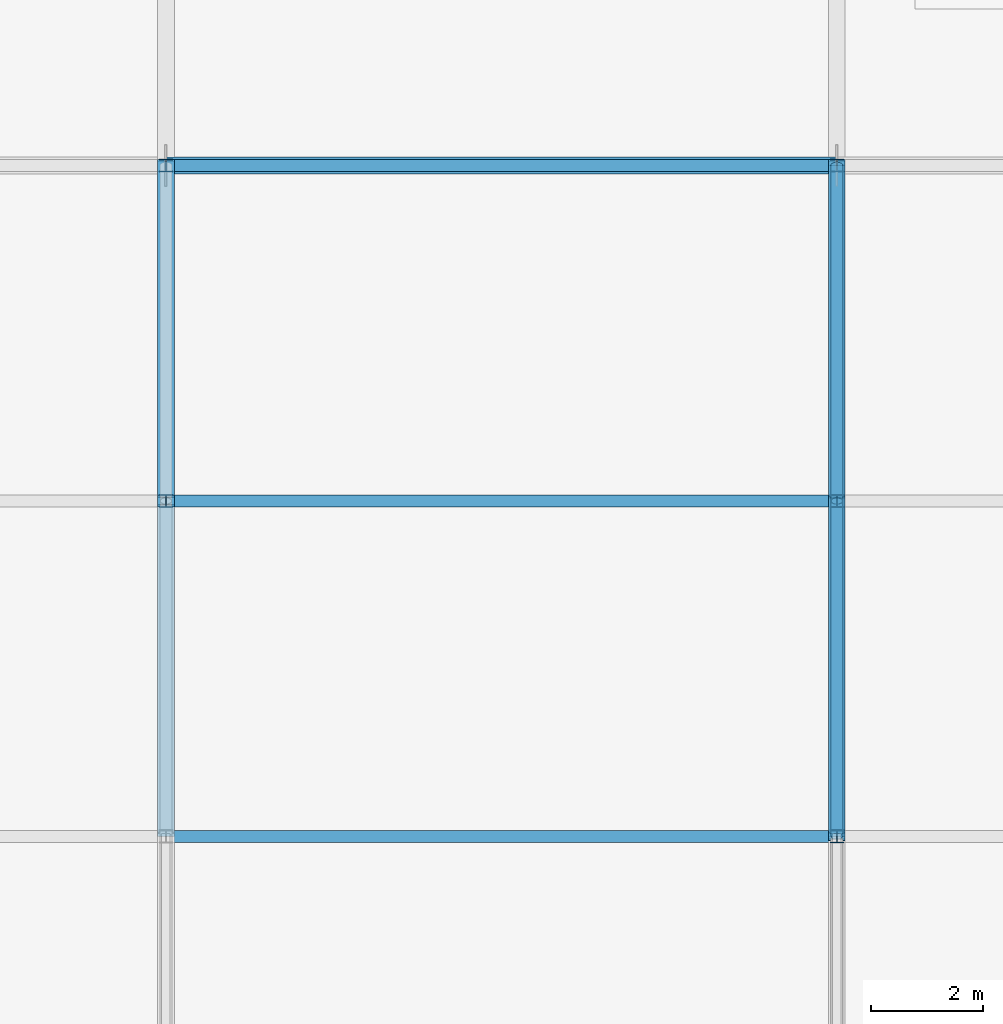
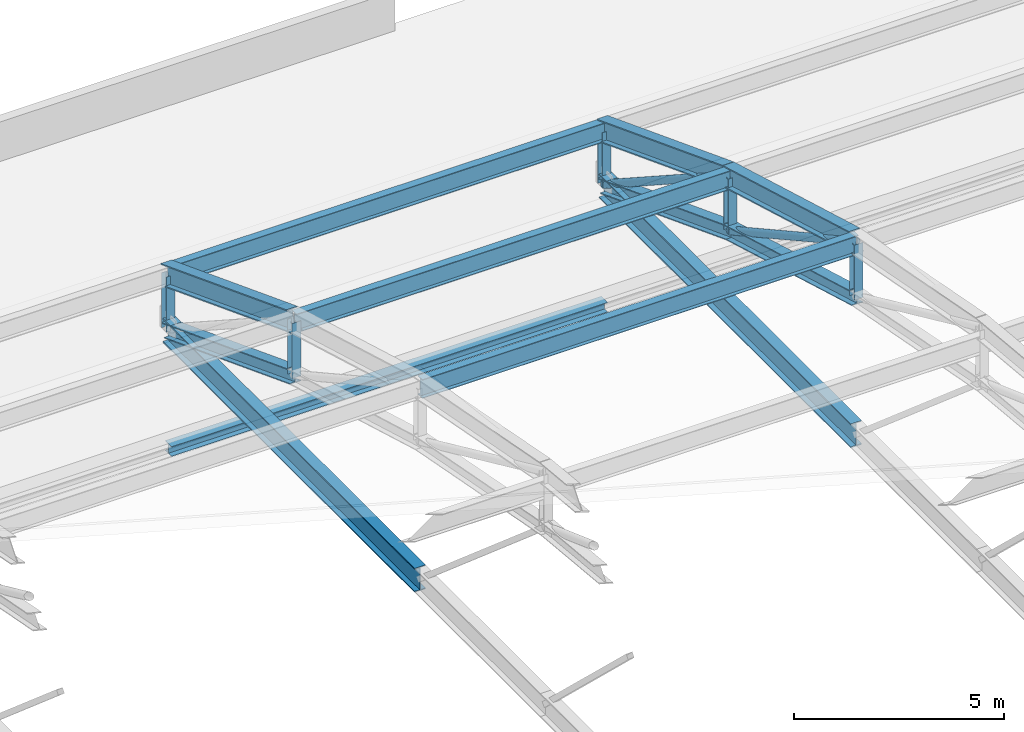
# One storey, part 150 of 204: 18 members, 1 beam.
"""IFC4 building model written with IfcOpenShell, lengths in metres."""

from ifc_helpers import new_model, si_unit, direction, frame, origin, origin_2d, place, context, subcontext, project, spatial, hollow_circle, i_section, extrude, material, material_profile, profile_set, type_object, element, save


model = new_model("IFC4")

# Units and contexts
model_context = context("Model", 3, precision=1e-05, world=origin(), true_north=direction((0.0, 1.0)))
body_context = subcontext(model_context, "Body", "Model", "MODEL_VIEW")
ifc_project = project(units=[si_unit("LENGTHUNIT", "METRE"), si_unit("AREAUNIT", "SQUARE_METRE"), si_unit("VOLUMEUNIT", "CUBIC_METRE"), si_unit("PLANEANGLEUNIT", "RADIAN"), si_unit("MASSUNIT", "GRAM", prefix="KILO")], contexts=[model_context])

# Site, building, storey
site_placement = place(None, origin())
site = spatial("IfcSite", under=ifc_project, at=site_placement, CompositionType="ELEMENT")
building_placement = place(site_placement, origin())
building = spatial("IfcBuilding", under=site, at=building_placement, Name="Zilviju Railside Exhibition Hall", CompositionType="ELEMENT")
storey_placement = place(building_placement, frame((0.0, 0.0, 21.0)))
storey = spatial("IfcBuildingStorey", under=building, at=storey_placement, Name="RF", CompositionType="ELEMENT", Elevation=21.0)

# Beam
ifc_material = material(Name="Steel S355J2", Category="steel")
ifc_material_profile_1 = material_profile(ifc_material, i_section(OverallWidth=0.300048828125, OverallDepth=0.2900390625, WebThickness=0.008544921875, FlangeThickness=0.013916015625, at=origin_2d()), Name="HEA 300")
ifc_profile_set_1 = profile_set([ifc_material_profile_1], Name="Steel S355J2")
beam_type = type_object("IfcBeamType", Name="BM-HEA300", PredefinedType="SPANDREL", material=ifc_profile_set_1)
beam_placement = place(storey_placement, frame((144.0, 138.0, -7.094970703125), z_axis=(1.0, 0.0, 0.0), x_axis=(0.0, 1.0, 0.0)))
element("IfcBeam", 1, at=beam_placement, inside=storey, type_object=beam_type, Name="Logistics Roof Beam Y=138.0 (144.0..156.0)", PredefinedType="SPANDREL", context=body_context, shape_type="SweptSolid", body=[
    extrude(i_section(OverallWidth=0.300048828125, OverallDepth=0.2900390625, WebThickness=0.008544921875, FlangeThickness=0.013916015625, at=origin_2d()), origin(), (0.0, 0.0, 1.0), 12.0),
])

# Members
ifc_material_profile_2 = material_profile(ifc_material, hollow_circle(Radius=0.109619140625, WallThickness=0.010009765625, at=origin_2d()), Name="CHS 219.1x10.0")
ifc_profile_set_2 = profile_set([ifc_material_profile_2], Name="Steel S355J2")
member_type_1 = type_object("IfcMemberType", Name="TR-BR-CHS219", PredefinedType="BRACE", material=ifc_profile_set_2)
member_1_placement = place(storey_placement, frame((156.0, 126.0, 2.009765625), z_axis=(0.0, 0.8750828143, -0.483973210122), x_axis=(-1.0, 0.0, 0.0)))
element("IfcMember", 2, at=member_1_placement, inside=storey, type_object=member_type_1, Name="V2 Parabolic Arch Web Diagonal X=156.0 P8", PredefinedType="BRACE", context=body_context, shape_type="SweptSolid", body=[
    extrude(hollow_circle(Radius=0.109619140625, WallThickness=0.010009765625, at=origin_2d()), origin(), (0.0, 0.0, 1.0), 6.8564453125),
])
member_2_placement = place(storey_placement, frame((156.0, 132.0, 0.291259765625), z_axis=(0.0, 0.838995406637, -0.544138500423), x_axis=(-1.0, 0.0, 0.0)))
element("IfcMember", 3, at=member_2_placement, inside=storey, type_object=member_type_1, Name="V2 Parabolic Arch Web Diagonal X=156.0 P9", PredefinedType="BRACE", context=body_context, shape_type="SweptSolid", body=[
    extrude(hollow_circle(Radius=0.109619140625, WallThickness=0.010009765625, at=origin_2d()), origin(), (0.0, 0.0, 1.0), 7.1513671875),
])
ifc_material_profile_3 = material_profile(ifc_material, i_section(OverallWidth=0.300048828125, OverallDepth=0.39990234375, WebThickness=0.013427734375, FlangeThickness=0.02392578125, at=origin_2d()), Name="HEB 400")
ifc_profile_set_3 = profile_set([ifc_material_profile_3], Name="Steel S355J2")
member_type_2 = type_object("IfcMemberType", Name="TR-CH-HEB400", PredefinedType="CHORD", material=ifc_profile_set_3)
member_3_placement = place(storey_placement, frame((144.0, 132.0, -1.30859375), z_axis=(0.0, 0.934187521086, -0.35678239229), x_axis=(-1.0, 0.0, 0.0)))
element("IfcMember", 4, at=member_3_placement, inside=storey, type_object=member_type_2, Name="V2 Parabolic Arch Bottom Chord X=144.0 P9", PredefinedType="CHORD", context=body_context, shape_type="SweptSolid", body=[
    extrude(i_section(OverallWidth=0.300048828125, OverallDepth=0.39990234375, WebThickness=0.013427734375, FlangeThickness=0.02392578125, at=origin_2d()), origin(), (0.0, 0.0, 1.0), 6.422607421875),
])
member_4_placement = place(storey_placement, frame((156.0, 126.0, 0.409912109375), z_axis=(0.0, 0.961345133658, -0.275346207512), x_axis=(-1.0, 0.0, 0.0)))
element("IfcMember", 5, at=member_4_placement, inside=storey, type_object=member_type_2, Name="V2 Parabolic Arch Bottom Chord X=156.0 P8", PredefinedType="CHORD", context=body_context, shape_type="SweptSolid", body=[
    extrude(i_section(OverallWidth=0.300048828125, OverallDepth=0.39990234375, WebThickness=0.013427734375, FlangeThickness=0.02392578125, at=origin_2d()), origin(), (0.0, 0.0, 1.0), 6.2412109375),
])
member_5_placement = place(storey_placement, frame((156.0, 132.0, -1.30859375), z_axis=(0.0, 0.934187521086, -0.35678239229), x_axis=(-1.0, 0.0, 0.0)))
element("IfcMember", 6, at=member_5_placement, inside=storey, type_object=member_type_2, Name="V2 Parabolic Arch Bottom Chord X=156.0 P9", PredefinedType="CHORD", context=body_context, shape_type="SweptSolid", body=[
    extrude(i_section(OverallWidth=0.300048828125, OverallDepth=0.39990234375, WebThickness=0.013427734375, FlangeThickness=0.02392578125, at=origin_2d()), origin(), (0.0, 0.0, 1.0), 6.422607421875),
])
ifc_material_profile_4 = material_profile(ifc_material, i_section(OverallWidth=0.300048828125, OverallDepth=0.60009765625, WebThickness=0.015380859375, FlangeThickness=0.030029296875, at=origin_2d()), Name="HEB 600")
ifc_profile_set_4 = profile_set([ifc_material_profile_4], Name="Steel S355J2")
member_type_3 = type_object("IfcMemberType", Name="TR-CH-HEB600", PredefinedType="CHORD", material=ifc_profile_set_4)
member_6_placement = place(storey_placement, frame((144.0, 132.0, 0.291259765625), z_axis=(0.0, 0.934200190194, -0.356749218138), x_axis=(-1.0, 0.0, 0.0)))
element("IfcMember", 7, at=member_6_placement, inside=storey, type_object=member_type_3, Name="V2 Parabolic Arch Top Chord X=144.0 P9", PredefinedType="CHORD", context=body_context, shape_type="SweptSolid", body=[
    extrude(i_section(OverallWidth=0.300048828125, OverallDepth=0.60009765625, WebThickness=0.015380859375, FlangeThickness=0.030029296875, at=origin_2d()), origin(), (0.0, 0.0, 1.0), 6.422607421875),
])
member_7_placement = place(storey_placement, frame((156.0, 126.0, 2.009765625), z_axis=(0.0, 0.961345133658, -0.275346207512), x_axis=(-1.0, 0.0, 0.0)))
element("IfcMember", 8, at=member_7_placement, inside=storey, type_object=member_type_3, Name="V2 Parabolic Arch Top Chord X=156.0 P8", PredefinedType="CHORD", context=body_context, shape_type="SweptSolid", body=[
    extrude(i_section(OverallWidth=0.300048828125, OverallDepth=0.60009765625, WebThickness=0.015380859375, FlangeThickness=0.030029296875, at=origin_2d()), origin(), (0.0, 0.0, 1.0), 6.2412109375),
])
member_8_placement = place(storey_placement, frame((156.0, 132.0, 0.291259765625), z_axis=(0.0, 0.934200190194, -0.356749218138), x_axis=(-1.0, 0.0, 0.0)))
element("IfcMember", 9, at=member_8_placement, inside=storey, type_object=member_type_3, Name="V2 Parabolic Arch Top Chord X=156.0 P9", PredefinedType="CHORD", context=body_context, shape_type="SweptSolid", body=[
    extrude(i_section(OverallWidth=0.300048828125, OverallDepth=0.60009765625, WebThickness=0.015380859375, FlangeThickness=0.030029296875, at=origin_2d()), origin(), (0.0, 0.0, 1.0), 6.422607421875),
])
ifc_material_profile_5 = material_profile(ifc_material, i_section(OverallWidth=0.239990234375, OverallDepth=0.22998046875, WebThickness=0.007568359375, FlangeThickness=0.011962890625, at=origin_2d()), Name="HEA 240")
ifc_profile_set_5 = profile_set([ifc_material_profile_5], Name="Steel S355J2")
member_type_4 = type_object("IfcMemberType", Name="TR-POST-HEA240", PredefinedType="POST", material=ifc_profile_set_5)
member_9_placement = place(storey_placement, frame((144.0, 132.0, -1.30859375), z_axis=(0.0, 0.0, 1.0), x_axis=(1.0, 0.0, 0.0)))
element("IfcMember", 10, at=member_9_placement, inside=storey, type_object=member_type_4, Name="V2 Parabolic Arch Web Post X=144.0 N8", PredefinedType="POST", context=body_context, shape_type="SweptSolid", body=[
    extrude(i_section(OverallWidth=0.239990234375, OverallDepth=0.22998046875, WebThickness=0.007568359375, FlangeThickness=0.011962890625, at=origin_2d()), origin(), (0.0, 0.0, 1.0), 1.599853515625),
])
member_10_placement = place(storey_placement, frame((144.0, 138.0, -3.60009765625), z_axis=(0.0, 0.0, 1.0), x_axis=(1.0, 0.0, 0.0)))
element("IfcMember", 11, at=member_10_placement, inside=storey, type_object=member_type_4, Name="V2 Parabolic Arch Web Post X=144.0 N9", PredefinedType="POST", context=body_context, shape_type="SweptSolid", body=[
    extrude(i_section(OverallWidth=0.239990234375, OverallDepth=0.22998046875, WebThickness=0.007568359375, FlangeThickness=0.011962890625, at=origin_2d()), origin(), (0.0, 0.0, 1.0), 1.60009765625),
])
for number, where, z_axis, x_axis, name in (
    (12, (156.0, 126.0, 0.409912109375), (0.0, 0.0, 1.0), (1.0, 0.0, 0.0), "V2 Parabolic Arch Web Post X=156.0 N7"),
    (13, (156.0, 132.0, -1.30859375), (0.0, 0.0, 1.0), (1.0, 0.0, 0.0), "V2 Parabolic Arch Web Post X=156.0 N8"),
):
    element("IfcMember", number, at=place(storey_placement, frame(where, z_axis=z_axis, x_axis=x_axis)), inside=storey, type_object=member_type_4, Name=name, PredefinedType="POST", context=body_context, shape_type="SweptSolid", body=[
        extrude(i_section(OverallWidth=0.239990234375, OverallDepth=0.22998046875, WebThickness=0.007568359375, FlangeThickness=0.011962890625, at=origin_2d()), origin(), (0.0, 0.0, 1.0), 1.599853515625),
    ])
member_11_placement = place(storey_placement, frame((156.0, 138.0, -3.60009765625), z_axis=(0.0, 0.0, 1.0), x_axis=(1.0, 0.0, 0.0)))
element("IfcMember", 14, at=member_11_placement, inside=storey, type_object=member_type_4, Name="V2 Parabolic Arch Web Post X=156.0 N9", PredefinedType="POST", context=body_context, shape_type="SweptSolid", body=[
    extrude(i_section(OverallWidth=0.239990234375, OverallDepth=0.22998046875, WebThickness=0.007568359375, FlangeThickness=0.011962890625, at=origin_2d()), origin(), (0.0, 0.0, 1.0), 1.60009765625),
])
ifc_material_profile_6 = material_profile(ifc_material, i_section(OverallWidth=0.2099609375, OverallDepth=0.550048828125, WebThickness=0.010986328125, FlangeThickness=0.01708984375, at=origin_2d()), Name="IPE 550")
ifc_profile_set_6 = profile_set([ifc_material_profile_6], Name="Steel S355J2")
member_type_5 = type_object("IfcMemberType", Name="TR-PUR-IPE550", PredefinedType="PURLIN", material=ifc_profile_set_6)
for number, where, z_axis, x_axis, name in (
    (15, (144.0, 126.0, 1.97509765625), (1.0, 0.0, 0.0), (0.0, 1.0, 0.0), "V2 Barrel Vault Roof Purlin Y=126.0 (144.0..156.0)"),
    (16, (144.0, 132.0, 0.239501953125), (1.0, 0.0, 0.0), (0.0, 1.0, 0.0), "V2 Barrel Vault Roof Purlin Y=132.0 (144.0..156.0)"),
    (17, (144.0, 138.0, -2.011962890625), (1.0, 0.0, 0.0), (0.0, 1.0, 0.0), "V2 Barrel Vault Roof Purlin Y=138.0 (144.0..156.0)"),
):
    element("IfcMember", number, at=place(storey_placement, frame(where, z_axis=z_axis, x_axis=x_axis)), inside=storey, type_object=member_type_5, Name=name, PredefinedType="PURLIN", context=body_context, shape_type="SweptSolid", body=[
        extrude(i_section(OverallWidth=0.2099609375, OverallDepth=0.550048828125, WebThickness=0.010986328125, FlangeThickness=0.01708984375, at=origin_2d()), origin(), (0.0, 0.0, 1.0), 12.0),
    ])
ifc_material_profile_7 = material_profile(ifc_material, i_section(OverallWidth=0.300048828125, OverallDepth=0.699951171875, WebThickness=0.01708984375, FlangeThickness=0.031982421875, at=origin_2d()), Name="HEB 700")
ifc_profile_set_7 = profile_set([ifc_material_profile_7], Name="Steel S355J2")
member_type_6 = type_object("IfcMemberType", Name="TR-TIE-HEB700", PredefinedType="CHORD", material=ifc_profile_set_7)
for number, where, z_axis, x_axis, name in (
    (18, (144.0, 126.0, -3.60009765625), (0.0, 1.0, 0.0), (-1.0, 0.0, 0.0), "V2 Arch Tie Member X=144.0"),
    (19, (156.0, 126.0, -3.60009765625), (0.0, 1.0, 0.0), (-1.0, 0.0, 0.0), "V2 Arch Tie Member X=156.0"),
):
    element("IfcMember", number, at=place(storey_placement, frame(where, z_axis=z_axis, x_axis=x_axis)), inside=storey, type_object=member_type_6, Name=name, PredefinedType="CHORD", context=body_context, shape_type="SweptSolid", body=[
        extrude(i_section(OverallWidth=0.300048828125, OverallDepth=0.699951171875, WebThickness=0.01708984375, FlangeThickness=0.031982421875, at=origin_2d()), origin(), (0.0, 0.0, 1.0), 12.0),
    ])

save(model, "model.ifc")
